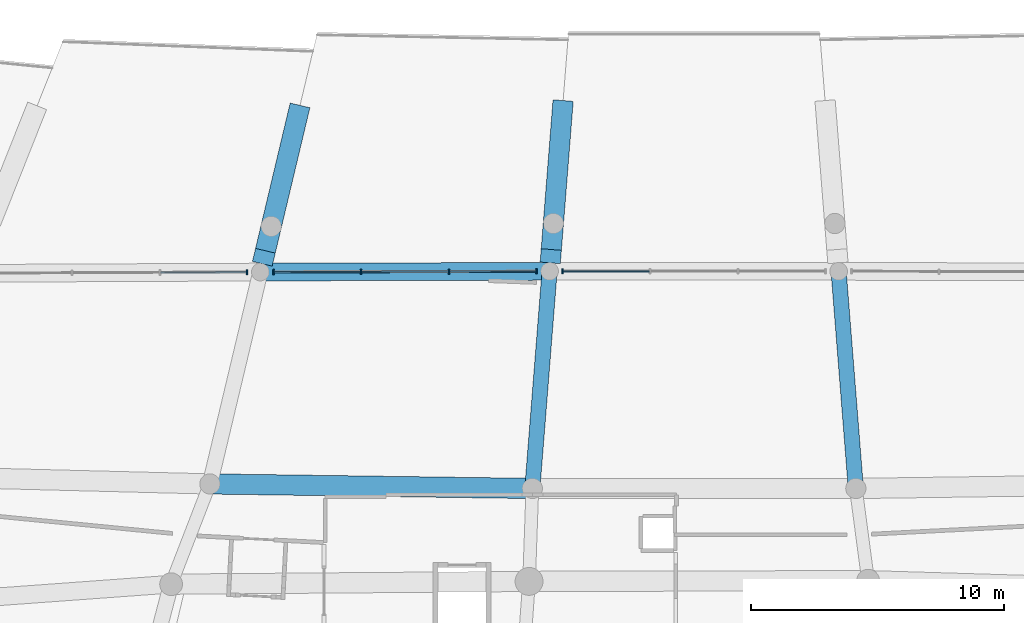
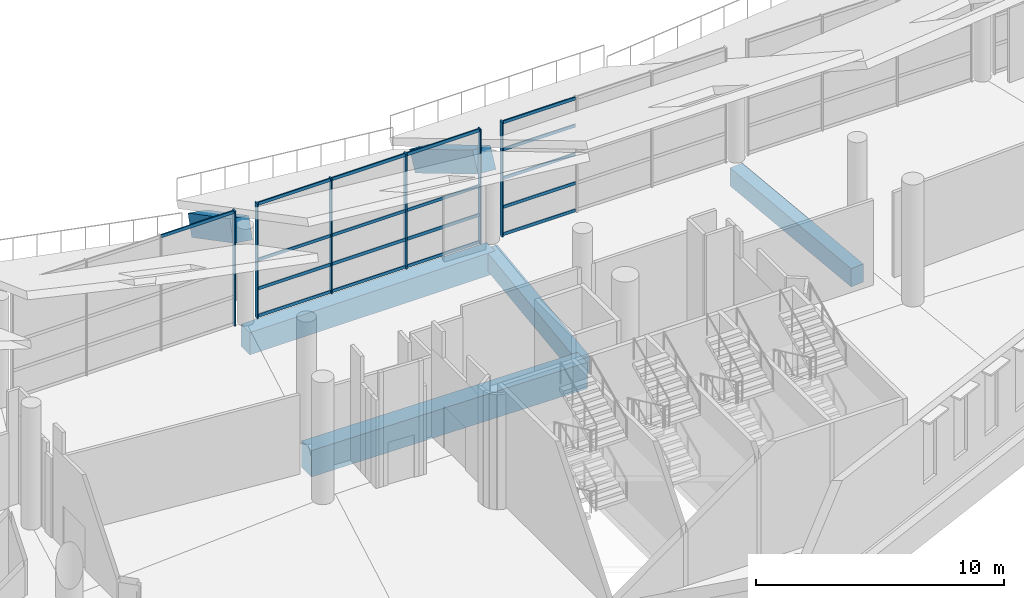
# One storey, part 18 of 249: 24 members, 6 beams, 3 elements without a shape of their own.
"""IFC4 building model written with IfcOpenShell, lengths in metres."""

from ifc_helpers import new_model, si_unit, direction, frame, origin, origin_2d, place, context, subcontext, project, spatial, rectangle, extrude, material, layer, layer_set, material_profile, profile_set, type_object, element, aggregate, save


model = new_model("IFC4")

# Units and contexts
model_context = context("Model", 3, precision=1e-05, world=origin(), true_north=direction((0.0, 1.0)))
body_context = subcontext(model_context, "Body", "Model", "MODEL_VIEW")
ifc_project = project(units=[si_unit("LENGTHUNIT", "METRE"), si_unit("AREAUNIT", "SQUARE_METRE"), si_unit("VOLUMEUNIT", "CUBIC_METRE"), si_unit("PLANEANGLEUNIT", "RADIAN"), si_unit("MASSUNIT", "GRAM", prefix="KILO")], contexts=[model_context])

# Site, building, storey
site_placement = place(None, origin())
site = spatial("IfcSite", under=ifc_project, at=site_placement, CompositionType="ELEMENT")
building_placement = place(site_placement, origin())
building = spatial("IfcBuilding", under=site, at=building_placement, Name="Meseta Stadium", CompositionType="ELEMENT")
storey_placement = place(building_placement, frame((0.0, 0.0, 12.0)))
storey = spatial("IfcBuildingStorey", under=building, at=storey_placement, Name="L02", CompositionType="ELEMENT", Elevation=12.0)

# Curtain wall, member
ifc_material_1 = material(Name="Aluminium", Category="aluminium")
ifc_layer = layer(ifc_material_1, 0.199951171875)
ifc_layer_set = layer_set([ifc_layer], Name="Suite glazing curtain wall")
curtain_wall_type = type_object("IfcCurtainWallType", Name="Suite glazing curtain wall", PredefinedType="NOTDEFINED", material=ifc_layer_set)
curtain_wall_1_placement = place(storey_placement, origin())
curtain_wall_1 = element("IfcCurtainWall", 1, at=curtain_wall_1_placement, inside=storey, type_object=curtain_wall_type, Name="Suite glazing bay 44", PredefinedType="NOTDEFINED")
ifc_material_2 = material(Name="Aluminium", Category="aluminium")
ifc_material_profile_1 = material_profile(ifc_material_2, rectangle(XDim=0.199951171875, YDim=0.06005859375, at=origin_2d()), Name="CW 200x60")
ifc_profile_set_1 = profile_set([ifc_material_profile_1], Name="Aluminium")
member_type_1 = type_object("IfcMemberType", Name="CW mullion 60x200", PredefinedType="MULLION", material=ifc_profile_set_1)
member_1_placement = place(storey_placement, frame((-17.6494140625, -77.33447265625, 0.0), z_axis=(0.0, 0.0, 1.0), x_axis=(-0.004468565348, 0.999990015912, 0.0)))
member_1 = element("IfcMember", 2, at=member_1_placement, type_object=member_type_1, Name="CWS mullion 4", PredefinedType="MULLION", context=body_context, shape_type="SweptSolid", body=[
    extrude(rectangle(XDim=0.199951171875, YDim=0.06005859375, at=origin_2d()), origin(), (0.0, 0.0, 1.0), 5.64990234375),
])

# Curtain wall, members
curtain_wall_2_placement = place(storey_placement, origin())
curtain_wall_2 = element("IfcCurtainWall", 3, at=curtain_wall_2_placement, inside=storey, type_object=curtain_wall_type, Name="Suite glazing bay 45", PredefinedType="NOTDEFINED")
member_2_placement = place(storey_placement, frame((-16.60400390625, -77.330810546875, 0.0), z_axis=(0.0, 0.0, 1.0), x_axis=(-0.002485957037, 0.999996910004, 0.0)))
member_2 = element("IfcMember", 4, at=member_2_placement, type_object=member_type_1, Name="CWS mullion 1", PredefinedType="MULLION", context=body_context, shape_type="SweptSolid", body=[
    extrude(rectangle(XDim=0.199951171875, YDim=0.06005859375, at=origin_2d()), origin(), (0.0, 0.0, 1.0), 5.64990234375),
])
member_3_placement = place(storey_placement, frame((-13.15185546875, -77.322265625, 0.0), z_axis=(0.0, 0.0, 1.0), x_axis=(-0.002485957037, 0.999996910004, 0.0)))
member_3 = element("IfcMember", 5, at=member_3_placement, type_object=member_type_1, Name="CWS mullion 2", PredefinedType="MULLION", context=body_context, shape_type="SweptSolid", body=[
    extrude(rectangle(XDim=0.199951171875, YDim=0.06005859375, at=origin_2d()), origin(), (0.0, 0.0, 1.0), 5.64990234375),
])
member_4_placement = place(storey_placement, frame((-9.66943359375, -77.3134765625, 0.0), z_axis=(0.0, 0.0, 1.0), x_axis=(-0.002485957037, 0.999996910004, 0.0)))
member_4 = element("IfcMember", 6, at=member_4_placement, type_object=member_type_1, Name="CWS mullion 3", PredefinedType="MULLION", context=body_context, shape_type="SweptSolid", body=[
    extrude(rectangle(XDim=0.199951171875, YDim=0.06005859375, at=origin_2d()), origin(), (0.0, 0.0, 1.0), 5.64990234375),
])
member_5_placement = place(storey_placement, frame((-6.21728515625, -77.304931640625, 0.0), z_axis=(0.0, 0.0, 1.0), x_axis=(-0.002485957037, 0.999996910004, 0.0)))
member_5 = element("IfcMember", 7, at=member_5_placement, type_object=member_type_1, Name="CWS mullion 4", PredefinedType="MULLION", context=body_context, shape_type="SweptSolid", body=[
    extrude(rectangle(XDim=0.199951171875, YDim=0.06005859375, at=origin_2d()), origin(), (0.0, 0.0, 1.0), 5.64990234375),
])

# Curtain wall, member
curtain_wall_3_placement = place(storey_placement, origin())
curtain_wall_3 = element("IfcCurtainWall", 8, at=curtain_wall_3_placement, inside=storey, type_object=curtain_wall_type, Name="Suite glazing bay 46", PredefinedType="NOTDEFINED")
member_6_placement = place(storey_placement, frame((-5.1962890625, -77.3037109375, 0.0), z_axis=(0.0, 0.0, 1.0), x_axis=(0.0, 1.0, 0.0)))
member_6 = element("IfcMember", 9, at=member_6_placement, type_object=member_type_1, Name="CWS mullion 1", PredefinedType="MULLION", context=body_context, shape_type="SweptSolid", body=[
    extrude(rectangle(XDim=0.199951171875, YDim=0.06005859375, at=origin_2d()), origin(), (0.0, 0.0, 1.0), 5.64990234375),
])

# Member
ifc_material_3 = material(Name="Aluminium", Category="aluminium")
ifc_material_profile_2 = material_profile(ifc_material_3, rectangle(XDim=0.06005859375, YDim=0.14990234375, at=origin_2d()), Name="CW 60x150")
ifc_profile_set_2 = profile_set([ifc_material_profile_2], Name="Aluminium")
member_type_2 = type_object("IfcMemberType", Name="CW transom 60x150", PredefinedType="USERDEFINED", material=ifc_profile_set_2)
member_7_placement = place(storey_placement, frame((-21.06591796875, -77.349609375, 5.574951171875), z_axis=(0.999990010786, 0.004469712398, 0.0), x_axis=(-0.004469712398, 0.999990010786, 0.0)))
member_7 = element("IfcMember", 10, at=member_7_placement, type_object=member_type_2, Name="CWS transom 3.4", ObjectType="TRANSOM", PredefinedType="USERDEFINED", context=body_context, shape_type="SweptSolid", body=[
    extrude(rectangle(XDim=0.06005859375, YDim=0.14990234375, at=origin_2d()), origin(), (0.0, 0.0, 1.0), 3.386474609375),
])

aggregate(curtain_wall_1, [member_1, member_7])

member_8_placement = place(storey_placement, frame((-16.573974609375, -77.330810546875, 0.074951171875), z_axis=(0.999996827151, 0.002519064989, 0.0), x_axis=(-0.002519064989, 0.999996827151, 0.0)))
member_8 = element("IfcMember", 11, at=member_8_placement, type_object=member_type_2, Name="CWS transom 1.1", ObjectType="TRANSOM", PredefinedType="USERDEFINED", context=body_context, shape_type="SweptSolid", body=[
    extrude(rectangle(XDim=0.06005859375, YDim=0.14990234375, at=origin_2d()), origin(), (0.0, 0.0, 1.0), 3.39208984375),
])

member_9_placement = place(storey_placement, frame((-16.573974609375, -77.330810546875, 1.41259765625), z_axis=(0.999996827151, 0.002519064989, 0.0), x_axis=(-0.002519064989, 0.999996827151, 0.0)))
member_9 = element("IfcMember", 12, at=member_9_placement, type_object=member_type_2, Name="CWS transom 1.2", ObjectType="TRANSOM", PredefinedType="USERDEFINED", context=body_context, shape_type="SweptSolid", body=[
    extrude(rectangle(XDim=0.06005859375, YDim=0.14990234375, at=origin_2d()), origin(), (0.0, 0.0, 1.0), 3.39208984375),
])

member_10_placement = place(storey_placement, frame((-16.573974609375, -77.330810546875, 2.824951171875), z_axis=(0.999996827151, 0.002519064989, 0.0), x_axis=(-0.002519064989, 0.999996827151, 0.0)))
member_10 = element("IfcMember", 13, at=member_10_placement, type_object=member_type_2, Name="CWS transom 1.3", ObjectType="TRANSOM", PredefinedType="USERDEFINED", context=body_context, shape_type="SweptSolid", body=[
    extrude(rectangle(XDim=0.06005859375, YDim=0.14990234375, at=origin_2d()), origin(), (0.0, 0.0, 1.0), 3.39208984375),
])

member_11_placement = place(storey_placement, frame((-16.573974609375, -77.330810546875, 5.574951171875), z_axis=(0.999996827151, 0.002519064989, 0.0), x_axis=(-0.002519064989, 0.999996827151, 0.0)))
member_11 = element("IfcMember", 14, at=member_11_placement, type_object=member_type_2, Name="CWS transom 1.4", ObjectType="TRANSOM", PredefinedType="USERDEFINED", context=body_context, shape_type="SweptSolid", body=[
    extrude(rectangle(XDim=0.06005859375, YDim=0.14990234375, at=origin_2d()), origin(), (0.0, 0.0, 1.0), 3.39208984375),
])

member_12_placement = place(storey_placement, frame((-13.121826171875, -77.322021484375, 0.074951171875), z_axis=(0.999997058602, 0.002425445855, 0.0), x_axis=(-0.002425445855, 0.999997058602, 0.0)))
member_12 = element("IfcMember", 15, at=member_12_placement, type_object=member_type_2, Name="CWS transom 2.1", ObjectType="TRANSOM", PredefinedType="USERDEFINED", context=body_context, shape_type="SweptSolid", body=[
    extrude(rectangle(XDim=0.06005859375, YDim=0.14990234375, at=origin_2d()), origin(), (0.0, 0.0, 1.0), 3.42236328125),
])

member_13_placement = place(storey_placement, frame((-13.121826171875, -77.322021484375, 1.41259765625), z_axis=(0.999997058602, 0.002425445855, 0.0), x_axis=(-0.002425445855, 0.999997058602, 0.0)))
member_13 = element("IfcMember", 16, at=member_13_placement, type_object=member_type_2, Name="CWS transom 2.2", ObjectType="TRANSOM", PredefinedType="USERDEFINED", context=body_context, shape_type="SweptSolid", body=[
    extrude(rectangle(XDim=0.06005859375, YDim=0.14990234375, at=origin_2d()), origin(), (0.0, 0.0, 1.0), 3.42236328125),
])

member_14_placement = place(storey_placement, frame((-13.121826171875, -77.322021484375, 2.824951171875), z_axis=(0.999997058602, 0.002425445855, 0.0), x_axis=(-0.002425445855, 0.999997058602, 0.0)))
member_14 = element("IfcMember", 17, at=member_14_placement, type_object=member_type_2, Name="CWS transom 2.3", ObjectType="TRANSOM", PredefinedType="USERDEFINED", context=body_context, shape_type="SweptSolid", body=[
    extrude(rectangle(XDim=0.06005859375, YDim=0.14990234375, at=origin_2d()), origin(), (0.0, 0.0, 1.0), 3.42236328125),
])

member_15_placement = place(storey_placement, frame((-13.121826171875, -77.322021484375, 5.574951171875), z_axis=(0.999997058602, 0.002425445855, 0.0), x_axis=(-0.002425445855, 0.999997058602, 0.0)))
member_15 = element("IfcMember", 18, at=member_15_placement, type_object=member_type_2, Name="CWS transom 2.4", ObjectType="TRANSOM", PredefinedType="USERDEFINED", context=body_context, shape_type="SweptSolid", body=[
    extrude(rectangle(XDim=0.06005859375, YDim=0.14990234375, at=origin_2d()), origin(), (0.0, 0.0, 1.0), 3.42236328125),
])

member_16_placement = place(storey_placement, frame((-9.639404296875, -77.3134765625, 0.074951171875), z_axis=(0.999996827151, 0.002519064989, 0.0), x_axis=(-0.002519064989, 0.999996827151, 0.0)))
member_16 = element("IfcMember", 19, at=member_16_placement, type_object=member_type_2, Name="CWS transom 3.1", ObjectType="TRANSOM", PredefinedType="USERDEFINED", context=body_context, shape_type="SweptSolid", body=[
    extrude(rectangle(XDim=0.06005859375, YDim=0.14990234375, at=origin_2d()), origin(), (0.0, 0.0, 1.0), 3.39208984375),
])

member_17_placement = place(storey_placement, frame((-9.639404296875, -77.3134765625, 1.41259765625), z_axis=(0.999996827151, 0.002519064989, 0.0), x_axis=(-0.002519064989, 0.999996827151, 0.0)))
member_17 = element("IfcMember", 20, at=member_17_placement, type_object=member_type_2, Name="CWS transom 3.2", ObjectType="TRANSOM", PredefinedType="USERDEFINED", context=body_context, shape_type="SweptSolid", body=[
    extrude(rectangle(XDim=0.06005859375, YDim=0.14990234375, at=origin_2d()), origin(), (0.0, 0.0, 1.0), 3.39208984375),
])

member_18_placement = place(storey_placement, frame((-9.639404296875, -77.3134765625, 2.824951171875), z_axis=(0.999996827151, 0.002519064989, 0.0), x_axis=(-0.002519064989, 0.999996827151, 0.0)))
member_18 = element("IfcMember", 21, at=member_18_placement, type_object=member_type_2, Name="CWS transom 3.3", ObjectType="TRANSOM", PredefinedType="USERDEFINED", context=body_context, shape_type="SweptSolid", body=[
    extrude(rectangle(XDim=0.06005859375, YDim=0.14990234375, at=origin_2d()), origin(), (0.0, 0.0, 1.0), 3.39208984375),
])

member_19_placement = place(storey_placement, frame((-9.639404296875, -77.3134765625, 5.574951171875), z_axis=(0.999996827151, 0.002519064989, 0.0), x_axis=(-0.002519064989, 0.999996827151, 0.0)))
member_19 = element("IfcMember", 22, at=member_19_placement, type_object=member_type_2, Name="CWS transom 3.4", ObjectType="TRANSOM", PredefinedType="USERDEFINED", context=body_context, shape_type="SweptSolid", body=[
    extrude(rectangle(XDim=0.06005859375, YDim=0.14990234375, at=origin_2d()), origin(), (0.0, 0.0, 1.0), 3.39208984375),
])

aggregate(curtain_wall_2, [member_2, member_3, member_4, member_5, member_8, member_9, member_10, member_11, member_12, member_13, member_14, member_15, member_16, member_17, member_18, member_19])

member_20_placement = place(storey_placement, frame((-5.166259765625, -77.3037109375, 0.074951171875), z_axis=(1.0, 0.0, 0.0), x_axis=(0.0, 1.0, 0.0)))
member_20 = element("IfcMember", 23, at=member_20_placement, type_object=member_type_2, Name="CWS transom 1.1", ObjectType="TRANSOM", PredefinedType="USERDEFINED", context=body_context, shape_type="SweptSolid", body=[
    extrude(rectangle(XDim=0.06005859375, YDim=0.14990234375, at=origin_2d()), origin(), (0.0, 0.0, 1.0), 3.394287109375),
])

member_21_placement = place(storey_placement, frame((-5.166259765625, -77.3037109375, 1.41259765625), z_axis=(1.0, 0.0, 0.0), x_axis=(0.0, 1.0, 0.0)))
member_21 = element("IfcMember", 24, at=member_21_placement, type_object=member_type_2, Name="CWS transom 1.2", ObjectType="TRANSOM", PredefinedType="USERDEFINED", context=body_context, shape_type="SweptSolid", body=[
    extrude(rectangle(XDim=0.06005859375, YDim=0.14990234375, at=origin_2d()), origin(), (0.0, 0.0, 1.0), 3.394287109375),
])

member_22_placement = place(storey_placement, frame((-5.166259765625, -77.3037109375, 2.824951171875), z_axis=(1.0, 0.0, 0.0), x_axis=(0.0, 1.0, 0.0)))
member_22 = element("IfcMember", 25, at=member_22_placement, type_object=member_type_2, Name="CWS transom 1.3", ObjectType="TRANSOM", PredefinedType="USERDEFINED", context=body_context, shape_type="SweptSolid", body=[
    extrude(rectangle(XDim=0.06005859375, YDim=0.14990234375, at=origin_2d()), origin(), (0.0, 0.0, 1.0), 3.394287109375),
])

member_23_placement = place(storey_placement, frame((-5.166259765625, -77.3037109375, 4.237548828125), z_axis=(1.0, 0.0, 0.0), x_axis=(0.0, 1.0, 0.0)))
member_23 = element("IfcMember", 26, at=member_23_placement, type_object=member_type_2, Name="CWS transom 1.4", ObjectType="TRANSOM", PredefinedType="USERDEFINED", context=body_context, shape_type="SweptSolid", body=[
    extrude(rectangle(XDim=0.06005859375, YDim=0.14990234375, at=origin_2d()), origin(), (0.0, 0.0, 1.0), 3.394287109375),
])

member_24_placement = place(storey_placement, frame((-5.166259765625, -77.3037109375, 5.574951171875), z_axis=(1.0, 0.0, 0.0), x_axis=(0.0, 1.0, 0.0)))
member_24 = element("IfcMember", 27, at=member_24_placement, type_object=member_type_2, Name="CWS transom 1.5", ObjectType="TRANSOM", PredefinedType="USERDEFINED", context=body_context, shape_type="SweptSolid", body=[
    extrude(rectangle(XDim=0.06005859375, YDim=0.14990234375, at=origin_2d()), origin(), (0.0, 0.0, 1.0), 3.394287109375),
])

aggregate(curtain_wall_3, [member_6, member_20, member_21, member_22, member_23, member_24])

# Beams
ifc_material_4 = material(Name="Concrete C40/50", Category="concrete")
ifc_material_profile_3 = material_profile(ifc_material_4, rectangle(XDim=0.60009765625, YDim=0.89990234375, at=origin_2d()), Name="RC 600x900")
ifc_profile_set_3 = profile_set([ifc_material_profile_3], Name="Concrete C40/50")
beam_type_1 = type_object("IfcBeamType", Name="RC beam 600x900", PredefinedType="BEAM", material=ifc_profile_set_3)
for number, where, z_axis, x_axis, name in (
    (28, (-5.70654296875, -77.3037109375, -0.800048828125), (-0.079118987749, -0.996865179338, 0.0), (0.996865179338, -0.079118987749, 0.0), "L02 radial beam frame 46 line D to E"),
    (29, (5.70654296875, -77.3037109375, -0.800048828125), (0.079118987749, -0.996865179338, 0.0), (0.996865179338, 0.079118987749, 0.0), "L02 radial beam frame 47 line D to E"),
):
    element("IfcBeam", number, at=place(storey_placement, frame(where, z_axis=z_axis, x_axis=x_axis)), inside=storey, type_object=beam_type_1, Name=name, PredefinedType="BEAM", context=body_context, shape_type="SweptSolid", body=[
        extrude(rectangle(XDim=0.60009765625, YDim=0.89990234375, at=origin_2d()), origin(), (0.0, 0.0, 1.0), 8.599853515625),
    ])
ifc_material_5 = material(Name="Concrete C40/50", Category="concrete")
ifc_material_profile_4 = material_profile(ifc_material_5, rectangle(XDim=0.699951171875, YDim=1.10009765625, at=origin_2d()), Name="RC 700x1100")
ifc_profile_set_4 = profile_set([ifc_material_profile_4], Name="Concrete C40/50")
beam_type_2 = type_object("IfcBeamType", Name="RC beam 700x1100", PredefinedType="BEAM", material=ifc_profile_set_4)
beam_1_placement = place(storey_placement, frame((-17.126708984375, -77.33203125, -0.89990234375), z_axis=(0.999996925183, 0.002479843584, 0.0), x_axis=(-0.002479843584, 0.999996925183, 0.0)))
element("IfcBeam", 30, at=beam_1_placement, inside=storey, type_object=beam_type_2, Name="L02 ring beam frame 45 line D", PredefinedType="BEAM", context=body_context, shape_type="SweptSolid", body=[
    extrude(rectangle(XDim=0.699951171875, YDim=1.10009765625, at=origin_2d()), origin(), (0.0, 0.0, 1.0), 11.420166015625),
])
ifc_material_6 = material(Name="Concrete C40/50", Category="concrete")
ifc_material_profile_5 = material_profile(ifc_material_6, rectangle(XDim=0.800048828125, YDim=1.300048828125, at=origin_2d()), Name="RC 800x1300")
ifc_profile_set_5 = profile_set([ifc_material_profile_5], Name="Concrete C40/50")
beam_type_3 = type_object("IfcBeamType", Name="RC beam 800x1300", PredefinedType="BEAM", material=ifc_profile_set_5)
beam_2_placement = place(storey_placement, frame((-19.11865234375, -85.6982421875, -1.0), z_axis=(0.999901768948, -0.014016149746, 0.0), x_axis=(0.014016149746, 0.999901768948, 0.0)))
element("IfcBeam", 31, at=beam_2_placement, inside=storey, type_object=beam_type_3, Name="L02 ring beam frame 45 line E", PredefinedType="BEAM", context=body_context, shape_type="SweptSolid", body=[
    extrude(rectangle(XDim=0.800048828125, YDim=1.300048828125, at=origin_2d()), origin(), (0.0, 0.0, 1.0), 12.73291015625),
])
ifc_material_7 = material(Name="Concrete C40/50", Category="concrete")
ifc_material_profile_6 = material_profile(ifc_material_7, rectangle(XDim=0.800048828125, YDim=1.0, at=origin_2d()), Name="RC 800x1000")
ifc_profile_set_6 = profile_set([ifc_material_profile_6], Name="Concrete C40/50")
beam_type_4 = type_object("IfcBeamType", Name="RC raker upper front 800x1000", PredefinedType="USERDEFINED", material=ifc_profile_set_6)
beam_3_placement = place(storey_placement, frame((-15.62109375, -71.0087890625, 0.43505859375), z_axis=(-0.196594877841, -0.825607178127, 0.528888685294), x_axis=(0.972800442507, -0.231644769116, 0.0)))
element("IfcBeam", 32, at=beam_3_placement, inside=storey, type_object=beam_type_4, Name="Raker upper front frame 45 upper tier", ObjectType="RAKER", PredefinedType="USERDEFINED", context=body_context, shape_type="SweptSolid", body=[
    extrude(rectangle(XDim=0.800048828125, YDim=1.0, at=origin_2d()), origin(), (0.0, 0.0, 1.0), 6.951904296875),
])
beam_4_placement = place(storey_placement, frame((-5.1923828125, -70.82421875, -0.13330078125), z_axis=(-0.067151942513, -0.846072330089, 0.528821547287), x_axis=(0.996865081746, -0.079120217364, 0.0)))
element("IfcBeam", 33, at=beam_4_placement, inside=storey, type_object=beam_type_4, Name="Raker upper front frame 46 upper tier", ObjectType="RAKER", PredefinedType="USERDEFINED", context=body_context, shape_type="SweptSolid", body=[
    extrude(rectangle(XDim=0.800048828125, YDim=1.0, at=origin_2d()), origin(), (0.0, 0.0, 1.0), 6.951416015625),
])

save(model, "model.ifc")
